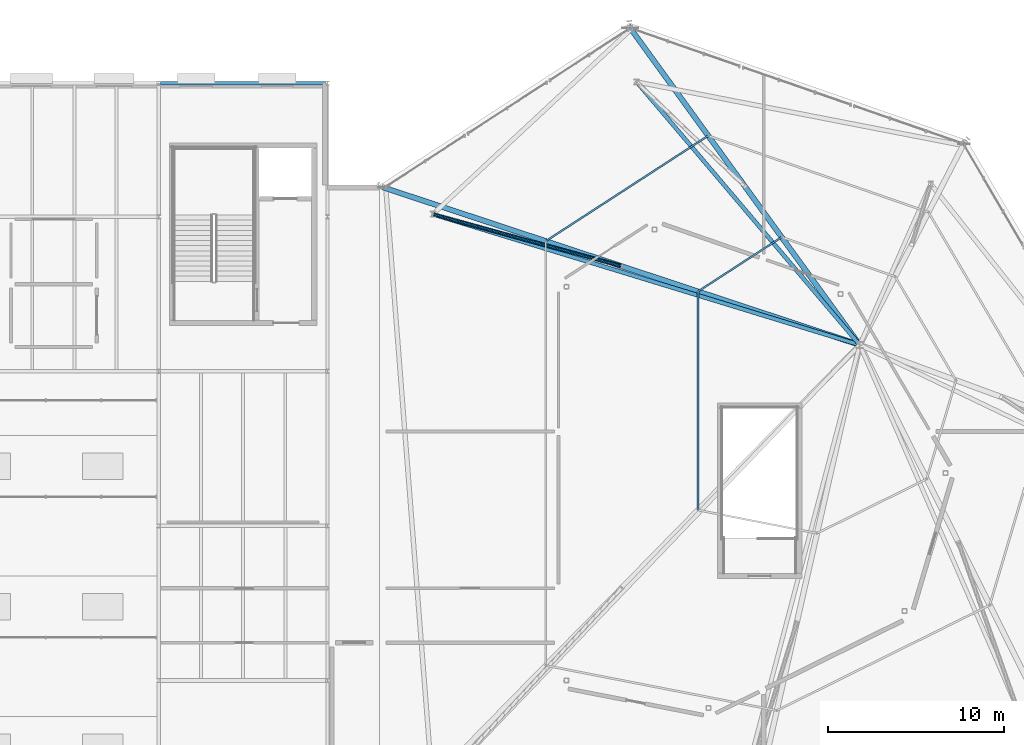
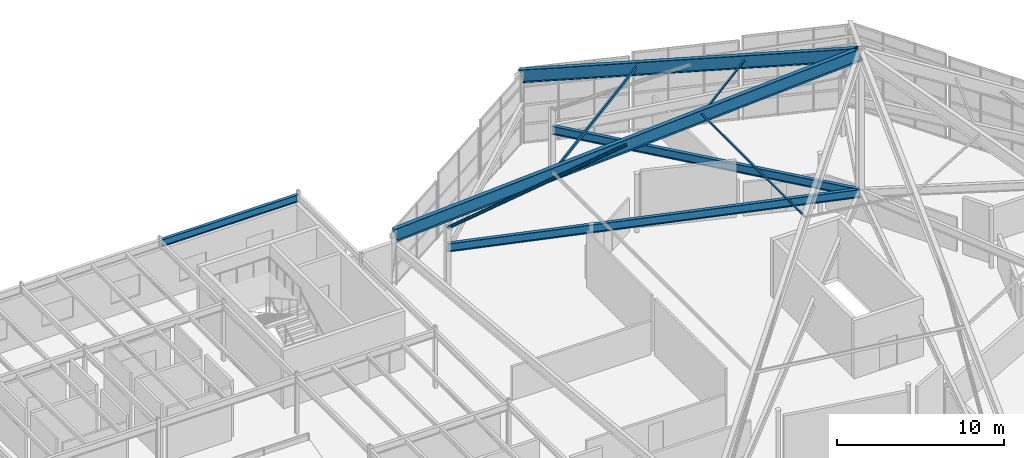
# One storey, part 18 of 50: 5 beams, 4 members.
"""IFC4 building model written with IfcOpenShell, lengths in metres."""

from ifc_helpers import new_model, si_unit, direction, frame, origin, origin_2d, place, context, subcontext, project, spatial, hollow_rectangle, hollow_circle, i_section, extrude, material, material_profile, profile_set, type_object, element, save


model = new_model("IFC4")

# Units and contexts
model_context = context("Model", 3, precision=1e-05, world=origin(), true_north=direction((0.0, 1.0)))
body_context = subcontext(model_context, "Body", "Model", "MODEL_VIEW")
ifc_project = project(units=[si_unit("LENGTHUNIT", "METRE"), si_unit("AREAUNIT", "SQUARE_METRE"), si_unit("VOLUMEUNIT", "CUBIC_METRE"), si_unit("PLANEANGLEUNIT", "RADIAN"), si_unit("MASSUNIT", "GRAM", prefix="KILO")], contexts=[model_context])

# Site, building, storey
site_placement = place(None, origin())
site = spatial("IfcSite", under=ifc_project, at=site_placement, CompositionType="ELEMENT")
building_placement = place(site_placement, origin())
building = spatial("IfcBuilding", under=site, at=building_placement, Name="Sarnbrook Museum", CompositionType="ELEMENT")
storey_placement = place(building_placement, frame((0.0, 0.0, 28.10009765625)))
storey = spatial("IfcBuildingStorey", under=building, at=storey_placement, Name="L05", CompositionType="ELEMENT", Elevation=28.10009765625)

# Beams
ifc_material_1 = material(Name="Structural Steel Grade 300PLUS (AS/NZS 3679.1, fy = 280 MPa for 17 < t <= 40 mm, 300 MPa for t <= 17 mm)", Category="steel")
ifc_material_profile_1 = material_profile(ifc_material_1, i_section(OverallWidth=0.208984375, OverallDepth=0.532958984375, WebThickness=0.01025390625, FlangeThickness=0.015625, FilletRadius=0.013916015625, at=origin_2d()), Name="530UB92.4")
ifc_profile_set_1 = profile_set([ifc_material_profile_1], Name="Structural Steel Grade 300PLUS (AS/NZS 3679.1, fy = 280 MPa for 17 < t <= 40 mm, 300 MPa for t <= 17 mm)")
beam_type_1 = type_object("IfcBeamType", Name="BM-UB530", PredefinedType="BEAM", material=ifc_profile_set_1)
beam_1_placement = place(storey_placement, frame((109.702392578125, 108.39990234375, 3.9833984375), z_axis=(1.0, 0.0, 0.0), x_axis=(0.0, 1.0, 0.0)))
element("IfcBeam", 1, at=beam_1_placement, inside=storey, type_object=beam_type_1, Name="Girder N:12-13 L05", PredefinedType="BEAM", context=body_context, shape_type="SweptSolid", body=[
    extrude(i_section(OverallWidth=0.208984375, OverallDepth=0.532958984375, WebThickness=0.01025390625, FlangeThickness=0.015625, FilletRadius=0.013916015625, at=origin_2d()), origin(), (0.0, 0.0, 1.0), 9.39501953125),
])
ifc_material_profile_2 = material_profile(ifc_material_1, i_section(OverallWidth=0.22802734375, OverallDepth=0.60693359375, WebThickness=0.01123046875, FlangeThickness=0.017333984375, FilletRadius=0.013916015625, at=origin_2d()), Name="610UB113")
ifc_profile_set_2 = profile_set([ifc_material_profile_2], Name="Structural Steel Grade 300PLUS (AS/NZS 3679.1, fy = 280 MPa for 17 < t <= 40 mm, 300 MPa for t <= 17 mm)")
beam_type_2 = type_object("IfcBeamType", Name="BM-UB610", PredefinedType="BEAM", material=ifc_profile_set_2)
beam_2_placement = place(storey_placement, frame((136.803955078125, 108.469482421875, 2.75), z_axis=(0.646819431031, -0.762643182387, 0.0), x_axis=(0.762643182387, 0.646819431031, 0.0)))
element("IfcBeam", 2, at=beam_2_placement, inside=storey, type_object=beam_type_2, Name="Crystal Roof Hub Tie Girder ST-6", PredefinedType="BEAM", context=body_context, shape_type="SweptSolid", body=[
    extrude(i_section(OverallWidth=0.22802734375, OverallDepth=0.60693359375, WebThickness=0.01123046875, FlangeThickness=0.017333984375, FilletRadius=0.013916015625, at=origin_2d()), origin(), (0.0, 0.0, 1.0), 19.62841796875),
])
beam_3_placement = place(storey_placement, frame((125.199951171875, 100.940673828125, 2.75), z_axis=(0.956179210633, -0.292782030105, 0.0), x_axis=(0.292782030105, 0.956179210633, 0.0)))
element("IfcBeam", 3, at=beam_3_placement, inside=storey, type_object=beam_type_2, Name="Crystal Roof Hub Tie Girder ST-7", PredefinedType="BEAM", context=body_context, shape_type="SweptSolid", body=[
    extrude(i_section(OverallWidth=0.22802734375, OverallDepth=0.60693359375, WebThickness=0.01123046875, FlangeThickness=0.017333984375, FilletRadius=0.013916015625, at=origin_2d()), origin(), (0.0, 0.0, 1.0), 25.413818359375),
])
ifc_material_2 = material(Name="Structural Steel Grade 350L0 (AS/NZS 3678, fy = 340 MPa for 20 < t <= 40 mm)", Category="steel")
ifc_material_profile_3 = material_profile(ifc_material_2, i_section(OverallWidth=0.300048828125, OverallDepth=0.89990234375, WebThickness=0.011962890625, FlangeThickness=0.02001953125, at=origin_2d()), Name="900WB175")
ifc_profile_set_3 = profile_set([ifc_material_profile_3], Name="Structural Steel Grade 350L0 (AS/NZS 3678, fy = 340 MPa for 20 < t <= 40 mm)")
beam_type_3 = type_object("IfcBeamType", Name="BM-WB900", PredefinedType="BEAM", material=ifc_profile_set_3)
beam_4_placement = place(storey_placement, frame((136.431396484375, 111.542724609375, 4.969970703125), z_axis=(0.55248117048, -0.762764406993, 0.336087809493), x_axis=(0.809874261631, 0.586603512048, 0.0)))
element("IfcBeam", 4, at=beam_4_placement, inside=storey, type_object=beam_type_3, Name="Crystal Sawtooth Roof Rafter ST-6", PredefinedType="BEAM", context=body_context, shape_type="SweptSolid", body=[
    extrude(i_section(OverallWidth=0.300048828125, OverallDepth=0.89990234375, WebThickness=0.011962890625, FlangeThickness=0.02001953125, at=origin_2d()), origin(), (0.0, 0.0, 1.0), 23.654296875),
])
beam_5_placement = place(storey_placement, frame((122.4189453125, 102.451416015625, 3.719970703125), z_axis=(0.903630794505, -0.298687597639, 0.306980628442), x_axis=(0.313841179494, 0.949475494183, 0.0)))
element("IfcBeam", 5, at=beam_5_placement, inside=storey, type_object=beam_type_3, Name="Crystal Sawtooth Roof Rafter ST-7", PredefinedType="BEAM", context=body_context, shape_type="SweptSolid", body=[
    extrude(i_section(OverallWidth=0.300048828125, OverallDepth=0.89990234375, WebThickness=0.011962890625, FlangeThickness=0.02001953125, at=origin_2d()), origin(), (0.0, 0.0, 1.0), 29.96923828125),
])

# Members
ifc_material_3 = material(Name="Structural Steel Hollow Section Grade C350L0 (AS/NZS 1163, fy = 350 MPa)", Category="steel")
ifc_material_profile_4 = material_profile(ifc_material_3, hollow_circle(Radius=0.109619140625, WallThickness=0.00830078125, at=origin_2d()), Name="219.1x8.2CHS")
ifc_profile_set_4 = profile_set([ifc_material_profile_4], Name="Structural Steel Hollow Section Grade C350L0 (AS/NZS 1163, fy = 350 MPa)")
member_type_1 = type_object("IfcMemberType", Name="MB-CHS219", PredefinedType="BRACE", material=ifc_profile_set_4)
member_1_placement = place(storey_placement, frame((125.199951171875, 100.940673828125, 4.14990234375), z_axis=(0.903086589596, -0.248870836392, 0.349997026396), x_axis=(0.265674535347, 0.964062778697, 0.0)))
element("IfcMember", 6, at=member_1_placement, inside=storey, type_object=member_type_1, Name="Crystal Sawtooth Truss Web Strut ST-7", PredefinedType="BRACE", context=body_context, shape_type="SweptSolid", body=[
    extrude(hollow_circle(Radius=0.109619140625, WallThickness=0.00830078125, at=origin_2d()), origin(), (0.0, 0.0, 1.0), 11.9140625),
])
ifc_material_profile_5 = material_profile(ifc_material_3, hollow_rectangle(XDim=0.10009765625, YDim=0.199951171875, WallThickness=0.008056640625, at=origin_2d()), Name="200x100x8.0RHS")
ifc_profile_set_5 = profile_set([ifc_material_profile_5], Name="Structural Steel Hollow Section Grade C350L0 (AS/NZS 1163, fy = 350 MPa)")
member_type_2 = type_object("IfcMemberType", Name="PR-RHS200", PredefinedType="PURLIN", material=ifc_profile_set_5)
member_2_placement = place(storey_placement, frame((140.874755859375, 105.408203125, 7.73291015625), z_axis=(-0.836566302142, -0.542759959023, -0.074622040995), x_axis=(0.544277465165, -0.838905263372, 0.0)))
element("IfcMember", 7, at=member_2_placement, inside=storey, type_object=member_type_2, Name="Crystal Roof Purlin 6-1", PredefinedType="PURLIN", context=body_context, shape_type="SweptSolid", body=[
    extrude(hollow_rectangle(XDim=0.10009765625, YDim=0.199951171875, WallThickness=0.008056640625, at=origin_2d()), origin(), (0.0, 0.0, 1.0), 11.05517578125),
])
ifc_material_profile_6 = material_profile(ifc_material_3, hollow_rectangle(XDim=0.10009765625, YDim=0.10009765625, WallThickness=0.006103515625, at=origin_2d()), Name="100x100x6.0SHS")
ifc_profile_set_6 = profile_set([ifc_material_profile_6], Name="Structural Steel Hollow Section Grade C350L0 (AS/NZS 1163, fy = 350 MPa)")
member_type_3 = type_object("IfcMemberType", Name="PR-SHS100", PredefinedType="PURLIN", material=ifc_profile_set_6)
member_3_placement = place(storey_placement, frame((145.056640625, 99.634521484375, 10.296875), z_axis=(-0.836557282679, -0.54277194609, -0.074635965417), x_axis=(0.544290054522, -0.838897095327, 0.0)))
element("IfcMember", 8, at=member_3_placement, inside=storey, type_object=member_type_3, Name="Crystal Roof Purlin 6-2", PredefinedType="PURLIN", context=body_context, shape_type="SweptSolid", body=[
    extrude(hollow_rectangle(XDim=0.10009765625, YDim=0.10009765625, WallThickness=0.006103515625, at=origin_2d()), origin(), (0.0, 0.0, 1.0), 5.695068359375),
])
member_4_placement = place(storey_placement, frame((140.29248046875, 96.54345703125, 9.871826171875), z_axis=(0.0, -1.0, 0.0), x_axis=(1.0, 0.0, 0.0)))
element("IfcMember", 9, at=member_4_placement, inside=storey, type_object=member_type_3, Name="Crystal Roof Purlin 7-2", PredefinedType="PURLIN", context=body_context, shape_type="SweptSolid", body=[
    extrude(hollow_rectangle(XDim=0.10009765625, YDim=0.10009765625, WallThickness=0.006103515625, at=origin_2d()), origin(), (0.0, 0.0, 1.0), 12.44384765625),
])

save(model, "model.ifc")
